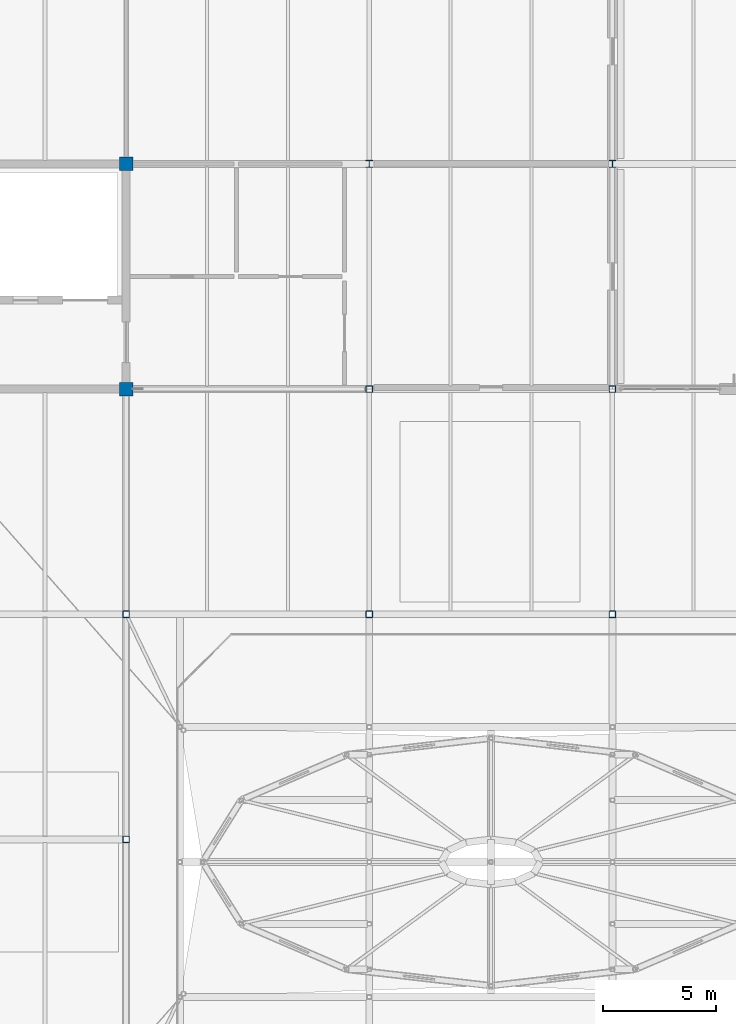
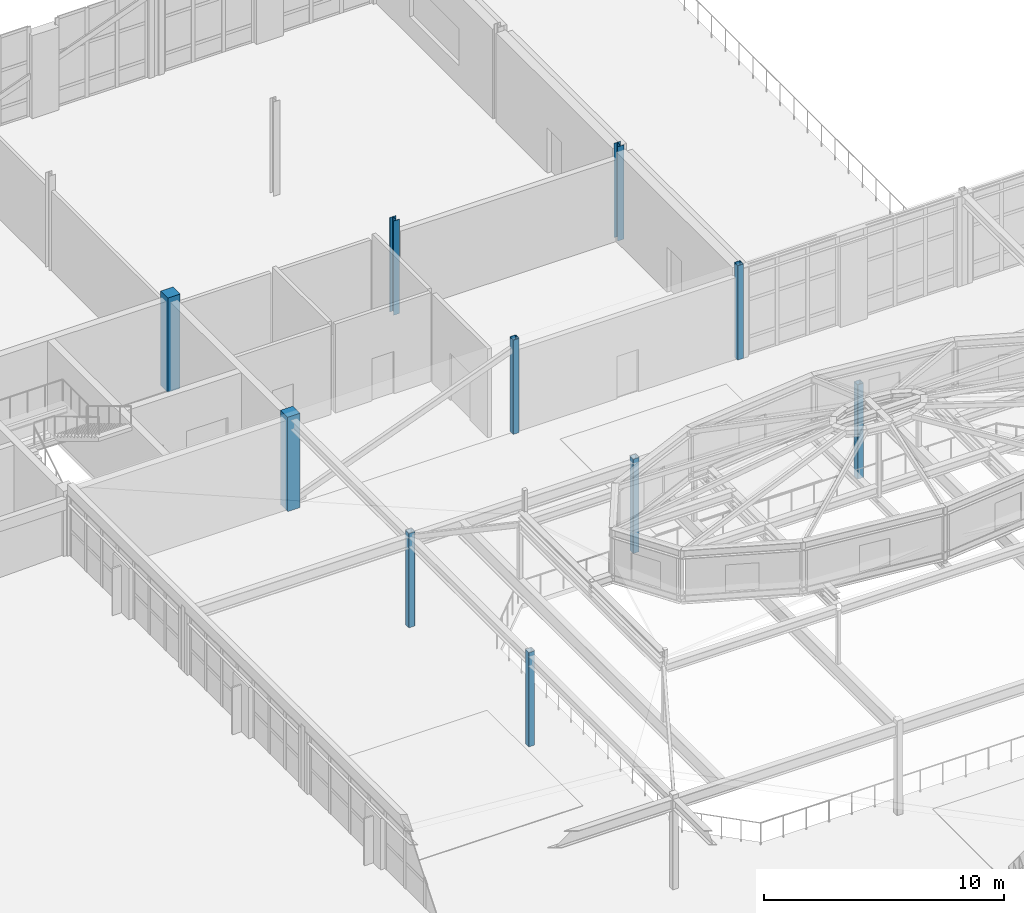
# One storey, part 5 of 86: 10 columns.
"""IFC4 building model written with IfcOpenShell, lengths in metres."""

from ifc_helpers import new_model, si_unit, direction, frame, origin, origin_2d, place, context, subcontext, project, spatial, rectangle, hollow_rectangle, i_section, extrude, material, material_profile, profile_set, type_object, element, save


model = new_model("IFC4")

# Units and contexts
model_context = context("Model", 3, precision=1e-05, world=origin(), true_north=direction((0.0, 1.0)))
body_context = subcontext(model_context, "Body", "Model", "MODEL_VIEW")
ifc_project = project(units=[si_unit("LENGTHUNIT", "METRE"), si_unit("AREAUNIT", "SQUARE_METRE"), si_unit("VOLUMEUNIT", "CUBIC_METRE"), si_unit("PLANEANGLEUNIT", "RADIAN"), si_unit("MASSUNIT", "GRAM", prefix="KILO")], contexts=[model_context])

# Site, building, storey
site_placement = place(None, origin())
site = spatial("IfcSite", under=ifc_project, at=site_placement, CompositionType="ELEMENT")
building_placement = place(site_placement, origin())
building = spatial("IfcBuilding", under=site, at=building_placement, Name="Tasgan Crest Museum", CompositionType="ELEMENT")
storey_placement = place(building_placement, frame((0.0, 0.0, 24.0)))
storey = spatial("IfcBuildingStorey", under=building, at=storey_placement, Name="L04", CompositionType="ELEMENT", Elevation=24.0)

# Columns
ifc_material_1 = material(Name="Steel S355J2", Category="steel")
ifc_material_profile_1 = material_profile(ifc_material_1, i_section(OverallWidth=0.300048828125, OverallDepth=0.31005859375, WebThickness=0.009033203125, FlangeThickness=0.015380859375, FilletRadius=0.027099609375, at=origin_2d()), Name="HEA 320")
ifc_profile_set_1 = profile_set([ifc_material_profile_1], Name="Steel S355J2")
column_type_1 = type_object("IfcColumnType", Name="COL-HEA320", PredefinedType="COLUMN", material=ifc_profile_set_1)
for number, where, z_axis, x_axis, name in (
    (1, (75.60009765625, 92.0, 0.0), (0.0, 0.0, 1.0), (1.0, 0.0, 0.0), "Column 8/K L04"),
    (2, (86.39990234375, 92.0, 0.0), (0.0, 0.0, 1.0), (1.0, 0.0, 0.0), "Column 9/K L04"),
):
    element("IfcColumn", number, at=place(storey_placement, frame(where, z_axis=z_axis, x_axis=x_axis)), inside=storey, type_object=column_type_1, Name=name, PredefinedType="COLUMN", context=body_context, shape_type="SweptSolid", body=[
        extrude(i_section(OverallWidth=0.300048828125, OverallDepth=0.31005859375, WebThickness=0.009033203125, FlangeThickness=0.015380859375, FilletRadius=0.027099609375, at=origin_2d()), origin(), (0.0, 0.0, 1.0), 4.800048828125),
    ])
ifc_material_2 = material(Name="Concrete C40/50", Category="concrete")
ifc_material_profile_2 = material_profile(ifc_material_2, rectangle(XDim=0.60009765625, YDim=0.60009765625, at=origin_2d()), Name="RC 600x600")
ifc_profile_set_2 = profile_set([ifc_material_profile_2], Name="Concrete C40/50")
column_type_2 = type_object("IfcColumnType", Name="COL-RC600", PredefinedType="COLUMN", material=ifc_profile_set_2)
for number, where, z_axis, x_axis, name in (
    (3, (64.800048828125, 82.0, 0.0), (0.0, 0.0, 1.0), (1.0, 0.0, 0.0), "Column 7/J L04"),
    (4, (64.800048828125, 92.0, 0.0), (0.0, 0.0, 1.0), (1.0, 0.0, 0.0), "Column 7/K L04"),
):
    element("IfcColumn", number, at=place(storey_placement, frame(where, z_axis=z_axis, x_axis=x_axis)), inside=storey, type_object=column_type_2, Name=name, PredefinedType="COLUMN", context=body_context, shape_type="SweptSolid", body=[
        extrude(rectangle(XDim=0.60009765625, YDim=0.60009765625, at=origin_2d()), origin(), (0.0, 0.0, 1.0), 4.800048828125),
    ])
ifc_material_3 = material(Name="Steel S355K2", Category="steel")
ifc_material_profile_3 = material_profile(ifc_material_3, hollow_rectangle(XDim=0.300048828125, YDim=0.300048828125, WallThickness=0.01611328125, InnerFilletRadius=0.01611328125, OuterFilletRadius=0.031982421875, at=origin_2d()), Name="SHS 300x300x16")
ifc_profile_set_3 = profile_set([ifc_material_profile_3], Name="Steel S355K2")
column_type_3 = type_object("IfcColumnType", Name="COL-SHS300", PredefinedType="COLUMN", material=ifc_profile_set_3)
for number, where, z_axis, x_axis, name in (
    (5, (64.800048828125, 62.0, 0.0), (0.0, 0.0, 1.0), (1.0, 0.0, 0.0), "Column 7/G L04"),
    (6, (64.800048828125, 72.0, 0.0), (0.0, 0.0, 1.0), (1.0, 0.0, 0.0), "Column 7/H L04"),
    (7, (75.60009765625, 72.0, 0.0), (0.0, 0.0, 1.0), (1.0, 0.0, 0.0), "Column 8/H L04"),
    (8, (75.60009765625, 82.0, 0.0), (0.0, 0.0, 1.0), (1.0, 0.0, 0.0), "Column 8/J L04"),
    (9, (86.39990234375, 72.0, 0.0), (0.0, 0.0, 1.0), (1.0, 0.0, 0.0), "Column 9/H L04"),
    (10, (86.39990234375, 82.0, 0.0), (0.0, 0.0, 1.0), (1.0, 0.0, 0.0), "Column 9/J L04"),
):
    element("IfcColumn", number, at=place(storey_placement, frame(where, z_axis=z_axis, x_axis=x_axis)), inside=storey, type_object=column_type_3, Name=name, PredefinedType="COLUMN", context=body_context, shape_type="SweptSolid", body=[
        extrude(hollow_rectangle(XDim=0.300048828125, YDim=0.300048828125, WallThickness=0.01611328125, InnerFilletRadius=0.01611328125, OuterFilletRadius=0.031982421875, at=origin_2d()), origin(), (0.0, 0.0, 1.0), 4.800048828125),
    ])

save(model, "model.ifc")
